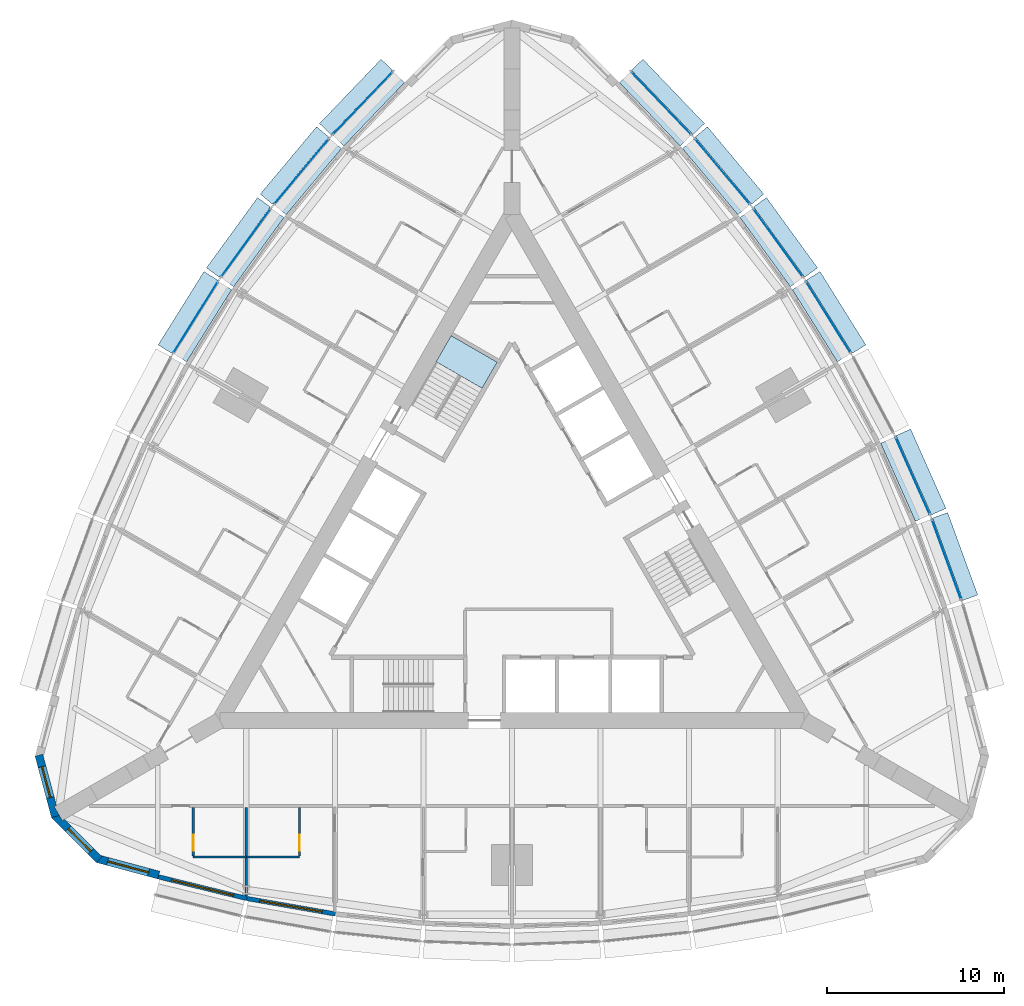
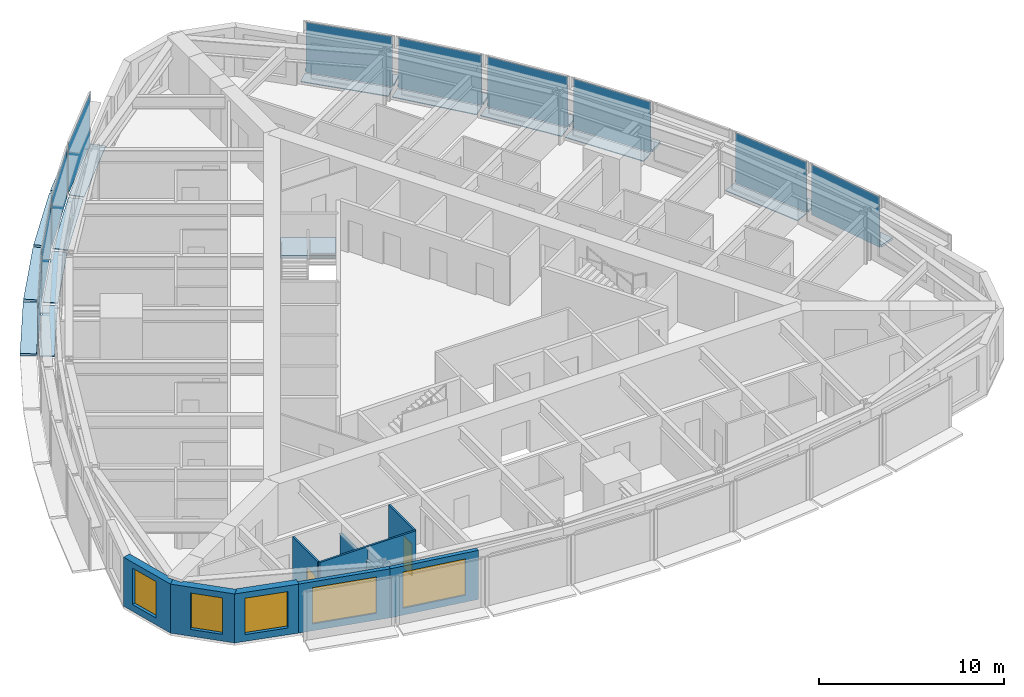
# One storey, part 7 of 14: 29 plates, 10 walls, 5 windows, 2 doors, 1 slab, 7 openings, 11 elements without a shape of their own.
"""IFC4 building model written with IfcOpenShell, lengths in metres."""

from ifc_helpers import new_model, si_unit, direction, frame, frame_2d, origin, origin_2d, place, context, subcontext, project, spatial, polyline, rectangle, outline, extrude, material, layer, layer_set, type_object, element, fill, aggregate, save


model = new_model("IFC4")

# Units and contexts
model_context = context("Model", 3, precision=1e-05, world=origin(), true_north=direction((0.0, 1.0)))
body_context = subcontext(model_context, "Body", "Model", "MODEL_VIEW")
ifc_project = project(units=[si_unit("LENGTHUNIT", "METRE"), si_unit("AREAUNIT", "SQUARE_METRE"), si_unit("VOLUMEUNIT", "CUBIC_METRE"), si_unit("PLANEANGLEUNIT", "RADIAN"), si_unit("MASSUNIT", "GRAM", prefix="KILO")], contexts=[model_context])

# Site, building, storey
site_placement = place(None, origin())
site = spatial("IfcSite", under=ifc_project, at=site_placement, CompositionType="ELEMENT")
building_placement = place(site_placement, origin())
building = spatial("IfcBuilding", under=site, at=building_placement, Name="Trikona Tower", CompositionType="ELEMENT")
storey_placement = place(building_placement, frame((0.0, 0.0, 141.89990234375)))
storey = spatial("IfcBuildingStorey", under=building, at=storey_placement, Name="L37", CompositionType="ELEMENT", Elevation=141.89990234375)

# Plates
ifc_material_1 = material(Name="Aluminium bar grating", Category="aluminium")
ifc_layer_1 = layer(ifc_material_1, 0.050048828125)
ifc_layer_set_1 = layer_set([ifc_layer_1], Name="Cavity catwalk grating")
plate_type_1 = type_object("IfcPlateType", Name="Cavity catwalk grating", PredefinedType="USERDEFINED", material=ifc_layer_set_1)
plate_1_placement = place(storey_placement, frame((22.175048828125, 4.092529296875, -0.0498046875), z_axis=(0.0, 0.0, 1.0), x_axis=(-0.406843467615, 0.913497888809, 0.0)))
element("IfcPlate", 1, at=plate_1_placement, inside=storey, type_object=plate_type_1, Name="Cavity catwalk L37-14", ObjectType="CATWALK GRATING", PredefinedType="USERDEFINED", context=body_context, shape_type="SweptSolid", body=[
    extrude(rectangle(XDim=4.827392578125, YDim=0.830078125, at=origin_2d()), origin(), (0.0, 0.0, 1.0), 0.050048828125),
])
plate_2_placement = place(storey_placement, frame((17.450927734375, 12.978759765625, -0.0498046875), z_axis=(0.0, 0.0, 1.0), x_axis=(-0.529994748414, 0.848000923734, 0.0)))
element("IfcPlate", 2, at=plate_2_placement, inside=storey, type_object=plate_type_1, Name="Cavity catwalk L37-16", ObjectType="CATWALK GRATING", PredefinedType="USERDEFINED", context=body_context, shape_type="SweptSolid", body=[
    extrude(rectangle(XDim=4.802978515625, YDim=0.830078125, at=origin_2d()), origin(), (0.0, 0.0, 1.0), 0.050048828125),
])
plate_3_placement = place(storey_placement, frame((14.6318359375, 17.157958984375, -0.0498046875), z_axis=(0.0, 0.0, 1.0), x_axis=(-0.587686407834, 0.809088799853, 0.0)))
element("IfcPlate", 3, at=plate_3_placement, inside=storey, type_object=plate_type_1, Name="Cavity catwalk L37-17", ObjectType="CATWALK GRATING", PredefinedType="USERDEFINED", context=body_context, shape_type="SweptSolid", body=[
    extrude(rectangle(XDim=4.827392578125, YDim=0.830078125, at=origin_2d()), origin(), (0.0, 0.0, 1.0), 0.050048828125),
])
plate_4_placement = place(storey_placement, frame((11.508056640625, 21.160400390625, -0.0498046875), z_axis=(0.0, 0.0, 1.0), x_axis=(-0.641807063101, 0.766866151133, 0.0)))
element("IfcPlate", 4, at=plate_4_placement, inside=storey, type_object=plate_type_1, Name="Cavity catwalk L37-18", ObjectType="CATWALK GRATING", PredefinedType="USERDEFINED", context=body_context, shape_type="SweptSolid", body=[
    extrude(rectangle(XDim=4.8759765625, YDim=0.830078125, at=origin_2d()), origin(), (0.0, 0.0, 1.0), 0.050048828125),
])
for number, where, z_axis, x_axis, name in (
    (5, (8.080078125, 24.986328125, -0.0498046875), (0.0, 0.0, 1.0), (-0.691723573819, 0.722162376078, 0.0), "Cavity catwalk L37-19"),
    (6, (-8.080078125, 24.986328125, -0.0498046875), (0.0, 0.0, 1.0), (-0.691723573819, -0.722162376078, 0.0), "Cavity catwalk L37-24"),
):
    element("IfcPlate", number, at=place(storey_placement, frame(where, z_axis=z_axis, x_axis=x_axis)), inside=storey, type_object=plate_type_1, Name=name, ObjectType="CATWALK GRATING", PredefinedType="USERDEFINED", context=body_context, shape_type="SweptSolid", body=[
        extrude(rectangle(XDim=4.947998046875, YDim=0.830078125, at=origin_2d()), origin(), (0.0, 0.0, 1.0), 0.050048828125),
    ])
plate_5_placement = place(storey_placement, frame((-11.508056640625, 21.160400390625, -0.0498046875), z_axis=(0.0, 0.0, 1.0), x_axis=(-0.641807063101, -0.766866151133, 0.0)))
element("IfcPlate", 7, at=plate_5_placement, inside=storey, type_object=plate_type_1, Name="Cavity catwalk L37-25", ObjectType="CATWALK GRATING", PredefinedType="USERDEFINED", context=body_context, shape_type="SweptSolid", body=[
    extrude(rectangle(XDim=4.8759765625, YDim=0.830078125, at=origin_2d()), origin(), (0.0, 0.0, 1.0), 0.050048828125),
])
plate_6_placement = place(storey_placement, frame((-14.6318359375, 17.157958984375, -0.0498046875), z_axis=(0.0, 0.0, 1.0), x_axis=(-0.587686407834, -0.809088799853, 0.0)))
element("IfcPlate", 8, at=plate_6_placement, inside=storey, type_object=plate_type_1, Name="Cavity catwalk L37-26", ObjectType="CATWALK GRATING", PredefinedType="USERDEFINED", context=body_context, shape_type="SweptSolid", body=[
    extrude(rectangle(XDim=4.827392578125, YDim=0.830078125, at=origin_2d()), origin(), (0.0, 0.0, 1.0), 0.050048828125),
])
plate_7_placement = place(storey_placement, frame((-17.450927734375, 12.978759765625, -0.0498046875), z_axis=(0.0, 0.0, 1.0), x_axis=(-0.529994748414, -0.848000923734, 0.0)))
element("IfcPlate", 9, at=plate_7_placement, inside=storey, type_object=plate_type_1, Name="Cavity catwalk L37-27", ObjectType="CATWALK GRATING", PredefinedType="USERDEFINED", context=body_context, shape_type="SweptSolid", body=[
    extrude(rectangle(XDim=4.802978515625, YDim=0.830078125, at=origin_2d()), origin(), (0.0, 0.0, 1.0), 0.050048828125),
])

# Curtain wall, plate
ifc_material_2 = material(Name="Aluminium curtain wall system", Category="aluminium")
curtain_wall_type = type_object("IfcCurtainWallType", Name="Curtain wall DS2", PredefinedType="NOTDEFINED", material=ifc_material_2)
curtain_wall_1_placement = place(storey_placement, origin())
curtain_wall_1 = element("IfcCurtainWall", 10, at=curtain_wall_1_placement, inside=storey, type_object=curtain_wall_type, Name="Curtain wall DS2 L37", PredefinedType="NOTDEFINED")
ifc_material_3 = material(Name="Laminated clear glass", Category="glass")
ifc_layer_2 = layer(ifc_material_3, 0.028076171875)
ifc_layer_set_2 = layer_set([ifc_layer_2], Name="Glass panel DS2")
plate_type_2 = type_object("IfcPlateType", Name="Glass panel DS2", PredefinedType="CURTAIN_PANEL", material=ifc_layer_set_2)
plate_8_placement = place(storey_placement, frame((24.53515625, -0.447509765625, 0.0), z_axis=(0.0, 0.0, 1.0), x_axis=(-0.343223420143, 0.939253790978, 0.0)))
plate_8 = element("IfcPlate", 11, at=plate_8_placement, type_object=plate_type_2, Name="CW-DS2 panel 1.1", PredefinedType="CURTAIN_PANEL", context=body_context, shape_type="SweptSolid", body=[
    extrude(rectangle(XDim=4.7958984375, YDim=0.028076171875, at=origin_2d()), origin(), (0.0, 0.0, 1.0), 3.320068359375),
])
aggregate(curtain_wall_1, [plate_8])

curtain_wall_2_placement = place(storey_placement, origin())
curtain_wall_2 = element("IfcCurtainWall", 12, at=curtain_wall_2_placement, inside=storey, type_object=curtain_wall_type, Name="Curtain wall DS2 L37", PredefinedType="NOTDEFINED")
plate_9_placement = place(storey_placement, frame((22.6181640625, 4.289794921875, 0.0), z_axis=(0.0, 0.0, 1.0), x_axis=(-0.406836013132, 0.913501208767, 0.0)))
plate_9 = element("IfcPlate", 13, at=plate_9_placement, type_object=plate_type_2, Name="CW-DS2 panel 1.1", PredefinedType="CURTAIN_PANEL", context=body_context, shape_type="SweptSolid", body=[
    extrude(rectangle(XDim=4.747314453125, YDim=0.028076171875, at=origin_2d()), origin(), (0.0, 0.0, 1.0), 3.320068359375),
])
aggregate(curtain_wall_2, [plate_9])

curtain_wall_3_placement = place(storey_placement, origin())
curtain_wall_3 = element("IfcCurtainWall", 14, at=curtain_wall_3_placement, inside=storey, type_object=curtain_wall_type, Name="Curtain wall DS2 L37", PredefinedType="NOTDEFINED")
plate_10_placement = place(storey_placement, frame((17.8623046875, 13.23583984375, 0.0), z_axis=(0.0, 0.0, 1.0), x_axis=(-0.529998940002, 0.847998304006, 0.0)))
plate_10 = element("IfcPlate", 15, at=plate_10_placement, type_object=plate_type_2, Name="CW-DS2 panel 1.1", PredefinedType="CURTAIN_PANEL", context=body_context, shape_type="SweptSolid", body=[
    extrude(rectangle(XDim=4.72314453125, YDim=0.028076171875, at=origin_2d()), origin(), (0.0, 0.0, 1.0), 3.320068359375),
])
aggregate(curtain_wall_3, [plate_10])

curtain_wall_4_placement = place(storey_placement, origin())
curtain_wall_4 = element("IfcCurtainWall", 16, at=curtain_wall_4_placement, inside=storey, type_object=curtain_wall_type, Name="Curtain wall DS2 L37", PredefinedType="NOTDEFINED")
plate_11_placement = place(storey_placement, frame((15.024169921875, 17.443115234375, 0.0), z_axis=(0.0, 0.0, 1.0), x_axis=(-0.587690588313, 0.80908576332, 0.0)))
plate_11 = element("IfcPlate", 17, at=plate_11_placement, type_object=plate_type_2, Name="CW-DS2 panel 1.1", PredefinedType="CURTAIN_PANEL", context=body_context, shape_type="SweptSolid", body=[
    extrude(rectangle(XDim=4.74755859375, YDim=0.028076171875, at=origin_2d()), origin(), (0.0, 0.0, 1.0), 3.320068359375),
])
aggregate(curtain_wall_4, [plate_11])

curtain_wall_5_placement = place(storey_placement, origin())
curtain_wall_5 = element("IfcCurtainWall", 18, at=curtain_wall_5_placement, inside=storey, type_object=curtain_wall_type, Name="Curtain wall DS2 L37", PredefinedType="NOTDEFINED")
plate_12_placement = place(storey_placement, frame((11.8798828125, 21.4716796875, 0.0), z_axis=(0.0, 0.0, 1.0), x_axis=(-0.641806433248, 0.766866678271, 0.0)))
plate_12 = element("IfcPlate", 19, at=plate_12_placement, type_object=plate_type_2, Name="CW-DS2 panel 1.1", PredefinedType="CURTAIN_PANEL", context=body_context, shape_type="SweptSolid", body=[
    extrude(rectangle(XDim=4.7958984375, YDim=0.028076171875, at=origin_2d()), origin(), (0.0, 0.0, 1.0), 3.320068359375),
])
aggregate(curtain_wall_5, [plate_12])

curtain_wall_6_placement = place(storey_placement, origin())
curtain_wall_6 = element("IfcCurtainWall", 20, at=curtain_wall_6_placement, inside=storey, type_object=curtain_wall_type, Name="Curtain wall DS2 L37", PredefinedType="NOTDEFINED")
plate_13_placement = place(storey_placement, frame((8.430419921875, 25.32177734375, 0.0), z_axis=(0.0, 0.0, 1.0), x_axis=(-0.691727797117, 0.722158330767, 0.0)))
plate_13 = element("IfcPlate", 21, at=plate_13_placement, type_object=plate_type_2, Name="CW-DS2 panel 1.1", PredefinedType="CURTAIN_PANEL", context=body_context, shape_type="SweptSolid", body=[
    extrude(rectangle(XDim=4.867919921875, YDim=0.028076171875, at=origin_2d()), origin(), (0.0, 0.0, 1.0), 3.320068359375),
])
aggregate(curtain_wall_6, [plate_13])

curtain_wall_7_placement = place(storey_placement, origin())
curtain_wall_7 = element("IfcCurtainWall", 22, at=curtain_wall_7_placement, inside=storey, type_object=curtain_wall_type, Name="Curtain wall DS2 L37", PredefinedType="NOTDEFINED")
plate_14_placement = place(storey_placement, frame((-8.430419921875, 25.32177734375, 0.0), z_axis=(0.0, 0.0, 1.0), x_axis=(-0.691727797117, -0.722158330767, 0.0)))
plate_14 = element("IfcPlate", 23, at=plate_14_placement, type_object=plate_type_2, Name="CW-DS2 panel 1.1", PredefinedType="CURTAIN_PANEL", context=body_context, shape_type="SweptSolid", body=[
    extrude(rectangle(XDim=4.867919921875, YDim=0.028076171875, at=origin_2d()), origin(), (0.0, 0.0, 1.0), 3.320068359375),
])
aggregate(curtain_wall_7, [plate_14])

curtain_wall_8_placement = place(storey_placement, origin())
curtain_wall_8 = element("IfcCurtainWall", 24, at=curtain_wall_8_placement, inside=storey, type_object=curtain_wall_type, Name="Curtain wall DS2 L37", PredefinedType="NOTDEFINED")
plate_15_placement = place(storey_placement, frame((-11.8798828125, 21.4716796875, 0.0), z_axis=(0.0, 0.0, 1.0), x_axis=(-0.641806433248, -0.766866678271, 0.0)))
plate_15 = element("IfcPlate", 25, at=plate_15_placement, type_object=plate_type_2, Name="CW-DS2 panel 1.1", PredefinedType="CURTAIN_PANEL", context=body_context, shape_type="SweptSolid", body=[
    extrude(rectangle(XDim=4.7958984375, YDim=0.028076171875, at=origin_2d()), origin(), (0.0, 0.0, 1.0), 3.320068359375),
])
aggregate(curtain_wall_8, [plate_15])

curtain_wall_9_placement = place(storey_placement, origin())
curtain_wall_9 = element("IfcCurtainWall", 26, at=curtain_wall_9_placement, inside=storey, type_object=curtain_wall_type, Name="Curtain wall DS2 L37", PredefinedType="NOTDEFINED")
plate_16_placement = place(storey_placement, frame((-15.024169921875, 17.443115234375, 0.0), z_axis=(0.0, 0.0, 1.0), x_axis=(-0.587690588313, -0.80908576332, 0.0)))
plate_16 = element("IfcPlate", 27, at=plate_16_placement, type_object=plate_type_2, Name="CW-DS2 panel 1.1", PredefinedType="CURTAIN_PANEL", context=body_context, shape_type="SweptSolid", body=[
    extrude(rectangle(XDim=4.74755859375, YDim=0.028076171875, at=origin_2d()), origin(), (0.0, 0.0, 1.0), 3.320068359375),
])
aggregate(curtain_wall_9, [plate_16])

curtain_wall_10_placement = place(storey_placement, origin())
curtain_wall_10 = element("IfcCurtainWall", 28, at=curtain_wall_10_placement, inside=storey, type_object=curtain_wall_type, Name="Curtain wall DS2 L37", PredefinedType="NOTDEFINED")
plate_17_placement = place(storey_placement, frame((-17.8623046875, 13.23583984375, 0.0), z_axis=(0.0, 0.0, 1.0), x_axis=(-0.529998940002, -0.847998304006, 0.0)))
plate_17 = element("IfcPlate", 29, at=plate_17_placement, type_object=plate_type_2, Name="CW-DS2 panel 1.1", PredefinedType="CURTAIN_PANEL", context=body_context, shape_type="SweptSolid", body=[
    extrude(rectangle(XDim=4.72314453125, YDim=0.028076171875, at=origin_2d()), origin(), (0.0, 0.0, 1.0), 3.320068359375),
])
aggregate(curtain_wall_10, [plate_17])

# Plates
ifc_material_4 = material(Name="Aluminium plate fin, pale anodised, on stainless steel outriggers", Category="steel")
ifc_layer_3 = layer(ifc_material_4, 0.14990234375)
ifc_layer_set_3 = layer_set([ifc_layer_3], Name="Outer skin fin 900")
plate_type_3 = type_object("IfcPlateType", Name="Outer skin fin 900", PredefinedType="USERDEFINED", material=ifc_layer_set_3)
plate_18_placement = place(storey_placement, frame((25.0234375, -0.26904296875, 0.000244140625), z_axis=(0.0, 0.0, 1.0), x_axis=(-0.343220397324, 0.939254895575, 0.0)))
element("IfcPlate", 30, at=plate_18_placement, inside=storey, type_object=plate_type_3, Name="Outer skin fin L37-13", ObjectType="FIN", PredefinedType="USERDEFINED", context=body_context, shape_type="SweptSolid", body=[
    extrude(rectangle(XDim=4.9560546875, YDim=0.89990234375, at=origin_2d()), origin(), (0.0, 0.0, 1.0), 0.14990234375),
])
plate_19_placement = place(storey_placement, frame((23.09326171875, 4.50146484375, 0.000244140625), z_axis=(0.0, 0.0, 1.0), x_axis=(-0.406843467615, 0.913497888809, 0.0)))
element("IfcPlate", 31, at=plate_19_placement, inside=storey, type_object=plate_type_3, Name="Outer skin fin L37-14", ObjectType="FIN", PredefinedType="USERDEFINED", context=body_context, shape_type="SweptSolid", body=[
    extrude(rectangle(XDim=4.907470703125, YDim=0.89990234375, at=origin_2d()), origin(), (0.0, 0.0, 1.0), 0.14990234375),
])
plate_20_placement = place(storey_placement, frame((18.30322265625, 13.511474609375, 0.000244140625), z_axis=(0.0, 0.0, 1.0), x_axis=(-0.529994748414, 0.848000923734, 0.0)))
element("IfcPlate", 32, at=plate_20_placement, inside=storey, type_object=plate_type_3, Name="Outer skin fin L37-16", ObjectType="FIN", PredefinedType="USERDEFINED", context=body_context, shape_type="SweptSolid", body=[
    extrude(rectangle(XDim=4.883056640625, YDim=0.89990234375, at=origin_2d()), origin(), (0.0, 0.0, 1.0), 0.14990234375),
])
plate_21_placement = place(storey_placement, frame((15.44482421875, 17.74853515625, 0.000244140625), z_axis=(0.0, 0.0, 1.0), x_axis=(-0.587686407834, 0.809088799853, 0.0)))
element("IfcPlate", 33, at=plate_21_placement, inside=storey, type_object=plate_type_3, Name="Outer skin fin L37-17", ObjectType="FIN", PredefinedType="USERDEFINED", context=body_context, shape_type="SweptSolid", body=[
    extrude(rectangle(XDim=4.907470703125, YDim=0.89990234375, at=origin_2d()), origin(), (0.0, 0.0, 1.0), 0.14990234375),
])
plate_22_placement = place(storey_placement, frame((12.27880859375, 21.8056640625, 0.000244140625), z_axis=(0.0, 0.0, 1.0), x_axis=(-0.641807063101, 0.766866151133, 0.0)))
element("IfcPlate", 34, at=plate_22_placement, inside=storey, type_object=plate_type_3, Name="Outer skin fin L37-18", ObjectType="FIN", PredefinedType="USERDEFINED", context=body_context, shape_type="SweptSolid", body=[
    extrude(rectangle(XDim=4.9560546875, YDim=0.89990234375, at=origin_2d()), origin(), (0.0, 0.0, 1.0), 0.14990234375),
])
for number, where, z_axis, x_axis, name in (
    (35, (8.805908203125, 25.681396484375, 0.000244140625), (0.0, 0.0, 1.0), (-0.691723573819, 0.722162376078, 0.0), "Outer skin fin L37-19"),
    (36, (-8.805908203125, 25.681396484375, 0.000244140625), (0.0, 0.0, 1.0), (-0.691723573819, -0.722162376078, 0.0), "Outer skin fin L37-24"),
):
    element("IfcPlate", number, at=place(storey_placement, frame(where, z_axis=z_axis, x_axis=x_axis)), inside=storey, type_object=plate_type_3, Name=name, ObjectType="FIN", PredefinedType="USERDEFINED", context=body_context, shape_type="SweptSolid", body=[
        extrude(rectangle(XDim=5.02783203125, YDim=0.89990234375, at=origin_2d()), origin(), (0.0, 0.0, 1.0), 0.14990234375),
    ])
plate_23_placement = place(storey_placement, frame((-12.27880859375, 21.8056640625, 0.000244140625), z_axis=(0.0, 0.0, 1.0), x_axis=(-0.641807063101, -0.766866151133, 0.0)))
element("IfcPlate", 37, at=plate_23_placement, inside=storey, type_object=plate_type_3, Name="Outer skin fin L37-25", ObjectType="FIN", PredefinedType="USERDEFINED", context=body_context, shape_type="SweptSolid", body=[
    extrude(rectangle(XDim=4.9560546875, YDim=0.89990234375, at=origin_2d()), origin(), (0.0, 0.0, 1.0), 0.14990234375),
])
plate_24_placement = place(storey_placement, frame((-15.44482421875, 17.74853515625, 0.000244140625), z_axis=(0.0, 0.0, 1.0), x_axis=(-0.587686407834, -0.809088799853, 0.0)))
element("IfcPlate", 38, at=plate_24_placement, inside=storey, type_object=plate_type_3, Name="Outer skin fin L37-26", ObjectType="FIN", PredefinedType="USERDEFINED", context=body_context, shape_type="SweptSolid", body=[
    extrude(rectangle(XDim=4.907470703125, YDim=0.89990234375, at=origin_2d()), origin(), (0.0, 0.0, 1.0), 0.14990234375),
])
plate_25_placement = place(storey_placement, frame((-18.30322265625, 13.511474609375, 0.000244140625), z_axis=(0.0, 0.0, 1.0), x_axis=(-0.529994748414, -0.848000923734, 0.0)))
element("IfcPlate", 39, at=plate_25_placement, inside=storey, type_object=plate_type_3, Name="Outer skin fin L37-27", ObjectType="FIN", PredefinedType="USERDEFINED", context=body_context, shape_type="SweptSolid", body=[
    extrude(rectangle(XDim=4.883056640625, YDim=0.89990234375, at=origin_2d()), origin(), (0.0, 0.0, 1.0), 0.14990234375),
])

# Stair, slab
ifc_material_5 = material(Name="Concrete f'c 5000 psi", Category="concrete")
stair_type = type_object("IfcStairType", Name="Core stair", PredefinedType="HALF_TURN_STAIR", material=ifc_material_5)
stair_placement = place(storey_placement, origin())
stair = element("IfcStair", 40, at=stair_placement, inside=storey, type_object=stair_type, Name="Stair C L37", PredefinedType="HALF_TURN_STAIR")
ifc_material_6 = material(Name="Concrete f'c 5000 psi", Category="concrete")
ifc_layer_4 = layer(ifc_material_6, 0.199951171875)
ifc_layer_set_4 = layer_set([ifc_layer_4], Name="Stair landing 200")
slab_type = type_object("IfcSlabType", Name="Stair landing 200", PredefinedType="LANDING", material=ifc_layer_set_4)
slab_placement = place(storey_placement, frame((0.0, 0.0, 1.5)))
slab = element("IfcSlab", 41, at=slab_placement, type_object=slab_type, Name="ST-C landing 2", PredefinedType="LANDING", context=body_context, shape_type="SweptSolid", body=[
    extrude(outline(polyline([(-0.837158203125, 10.702392578125), (-1.688720703125, 9.2275390625), (-4.286865234375, 10.7275390625), (-3.435302734375, 12.202392578125), (-0.837158203125, 10.702392578125)])), origin(), (0.0, 0.0, 1.0), 0.2001953125),
])
aggregate(stair, [slab])

# Wall
ifc_material_7 = material(Name="Metal stud and cement board", Category="gypsum")
ifc_layer_5 = layer(ifc_material_7, 0.1201171875)
ifc_layer_set_5 = layer_set([ifc_layer_5], Name="Bathroom wall 120")
wall_type_1 = type_object("IfcWallType", Name="Bathroom wall 120", PredefinedType="PLUMBINGWALL", material=ifc_layer_set_5)
wall_1_placement = place(storey_placement, frame((-18.0, -17.226318359375, 0.0), z_axis=(0.0, 0.0, 1.0), x_axis=(1.0, 0.0, 0.0)))
element("IfcWall", 42, at=wall_1_placement, inside=storey, type_object=wall_type_1, Name="Bathroom wall 3701", PredefinedType="PLUMBINGWALL", context=body_context, shape_type="SweptSolid", body=[
    extrude(rectangle(XDim=3.0, YDim=0.1201171875, at=frame_2d((1.5, 0.0))), origin(), (0.0, 0.0, 1.0), 3.235107421875),
])

# Wall, opening, door
wall_2_placement = place(storey_placement, frame((-18.0, -14.42626953125, 0.0), z_axis=(0.0, 0.0, 1.0), x_axis=(0.0, -1.0, 0.0)))
wall_2 = element("IfcWall", 43, at=wall_2_placement, inside=storey, type_object=wall_type_1, Name="Bathroom wall 3701", PredefinedType="PLUMBINGWALL", context=body_context, shape_type="SweptSolid", body=[
    extrude(rectangle(XDim=2.739990234375, YDim=0.1201171875, at=frame_2d((1.3701171875, 0.0))), origin(), (0.0, 0.0, 1.0), 3.235107421875),
])
opening_1_placement = place(wall_2_placement, frame((1.550048828125, 0.0, 0.0)))
opening_1 = element("IfcOpeningElement", 44, at=opening_1_placement, cuts=wall_2, Name="Opening D2", PredefinedType="OPENING", context=body_context, shape_type="SweptSolid", body=[
    extrude(rectangle(XDim=0.89990234375, YDim=2.1298828125, at=frame_2d((0.449951171875, 1.06494140625))), frame((0.0, 0.070068359375, 0.0), z_axis=(0.0, -1.0, 0.0), x_axis=(1.0, 0.0, 0.0)), (0.0, 0.0, 1.0), 0.14013671875),
])
ifc_material_8 = material(Name="Steel door frame with solid-core timber leaf", Category="steel")
door_type = type_object("IfcDoorType", Name="Bathroom door 900x2130", OperationType="SLIDING_TO_LEFT", PredefinedType="DOOR", material=ifc_material_8)
door_1_placement = place(opening_1_placement, origin())
door_1 = element("IfcDoor", 45, at=door_1_placement, inside=storey, type_object=door_type, Name="Bathroom door 3701", OperationType="SLIDING_TO_LEFT", OverallHeight=2.1298828125, OverallWidth=0.89990234375, PredefinedType="DOOR", context=body_context, shape_type="SweptSolid", body=[
    extrude(rectangle(XDim=0.89990234375, YDim=2.1298828125, at=frame_2d((0.449951171875, 1.06494140625))), frame((0.0, 0.02490234375, 0.0), z_axis=(0.0, -1.0, 0.0), x_axis=(1.0, 0.0, 0.0)), (0.0, 0.0, 1.0), 0.050048828125),
])
fill(opening_1, door_1)

# Wall
wall_3_placement = place(storey_placement, frame((-15.0, -17.226318359375, 0.0), z_axis=(0.0, 0.0, 1.0), x_axis=(1.0, 0.0, 0.0)))
element("IfcWall", 46, at=wall_3_placement, inside=storey, type_object=wall_type_1, Name="Bathroom wall 3702.1", PredefinedType="PLUMBINGWALL", context=body_context, shape_type="SweptSolid", body=[
    extrude(rectangle(XDim=3.0, YDim=0.1201171875, at=frame_2d((1.5, 0.0))), origin(), (0.0, 0.0, 1.0), 3.235107421875),
])

# Wall, opening, door
wall_4_placement = place(storey_placement, frame((-12.0, -14.42626953125, 0.0), z_axis=(0.0, 0.0, 1.0), x_axis=(0.0, -1.0, 0.0)))
wall_4 = element("IfcWall", 47, at=wall_4_placement, inside=storey, type_object=wall_type_1, Name="Bathroom wall 3702.1", PredefinedType="PLUMBINGWALL", context=body_context, shape_type="SweptSolid", body=[
    extrude(rectangle(XDim=2.739990234375, YDim=0.1201171875, at=frame_2d((1.3701171875, 0.0))), origin(), (0.0, 0.0, 1.0), 3.235107421875),
])
opening_2_placement = place(wall_4_placement, frame((1.550048828125, 0.0, 0.0)))
opening_2 = element("IfcOpeningElement", 48, at=opening_2_placement, cuts=wall_4, Name="Opening D2", PredefinedType="OPENING", context=body_context, shape_type="SweptSolid", body=[
    extrude(rectangle(XDim=0.89990234375, YDim=2.1298828125, at=frame_2d((0.449951171875, 1.06494140625))), frame((0.0, 0.070068359375, 0.0), z_axis=(0.0, -1.0, 0.0), x_axis=(1.0, 0.0, 0.0)), (0.0, 0.0, 1.0), 0.14013671875),
])
door_2_placement = place(opening_2_placement, origin())
door_2 = element("IfcDoor", 49, at=door_2_placement, inside=storey, type_object=door_type, Name="Bathroom door 3702.1", OperationType="SLIDING_TO_LEFT", OverallHeight=2.1298828125, OverallWidth=0.89990234375, PredefinedType="DOOR", context=body_context, shape_type="SweptSolid", body=[
    extrude(rectangle(XDim=0.89990234375, YDim=2.1298828125, at=frame_2d((0.449951171875, 1.06494140625))), frame((0.0, 0.02490234375, 0.0), z_axis=(0.0, -1.0, 0.0), x_axis=(1.0, 0.0, 0.0)), (0.0, 0.0, 1.0), 0.050048828125),
])
fill(opening_2, door_2)

# Wall, opening, window
ifc_material_9 = material(Name="Brick-faced precast concrete", Category="masonry")
ifc_layer_6 = layer(ifc_material_9, 0.449951171875)
ifc_layer_set_6 = layer_set([ifc_layer_6], Name="Brick-faced corner wall 450")
wall_type_2 = type_object("IfcWallType", Name="Brick-faced corner wall 450", PredefinedType="SOLIDWALL", material=ifc_layer_set_6)
wall_5_placement = place(storey_placement, frame((-26.7109375, -11.48876953125, 0.0), z_axis=(0.0, 0.0, 1.0), x_axis=(0.258823421857, -0.965924653531, 0.0)))
wall_5 = element("IfcWall", 50, at=wall_5_placement, inside=storey, type_object=wall_type_2, Name="External wall L37-33", PredefinedType="SOLIDWALL", context=body_context, shape_type="SweptSolid", body=[
    extrude(outline(polyline([(3.58642578125, 0.22509765625), (3.52685546875, 0.22509765625), (3.03515625, 0.09326171875), (3.0, 0.22509765625), (0.0, 0.22509765625), (0.0, -0.22509765625), (3.58642578125, -0.22509765625), (3.58642578125, 0.22509765625)])), origin(), (0.0, 0.0, 1.0), 3.235107421875),
])
opening_3_placement = place(wall_5_placement, frame((0.6748046875, 0.0, 0.449951171875)))
opening_3 = element("IfcOpeningElement", 51, at=opening_3_placement, cuts=wall_5, Name="Opening W1824", PredefinedType="OPENING", context=body_context, shape_type="SweptSolid", body=[
    extrude(rectangle(XDim=1.800048828125, YDim=2.39990234375, at=frame_2d((0.89990234375, 1.199951171875))), frame((0.0, 0.23486328125, 0.0), z_axis=(0.0, -1.0, 0.0), x_axis=(1.0, 0.0, 0.0)), (0.0, 0.0, 1.0), 0.469970703125),
])
ifc_material_10 = material(Name="Aluminium-framed double glazing", Category="aluminium")
window_type_1 = type_object("IfcWindowType", Name="Window 1800x2400", PartitioningType="SINGLE_PANEL", PredefinedType="WINDOW", material=ifc_material_10)
window_1_placement = place(opening_3_placement, origin())
window_1 = element("IfcWindow", 52, at=window_1_placement, inside=storey, type_object=window_type_1, Name="Window 3716", OverallHeight=2.39990234375, OverallWidth=1.800048828125, PartitioningType="SINGLE_PANEL", PredefinedType="WINDOW", context=body_context, shape_type="SweptSolid", body=[
    extrude(rectangle(XDim=1.800048828125, YDim=2.39990234375, at=frame_2d((0.89990234375, 1.199951171875))), frame((0.0, 0.030029296875, 0.0), z_axis=(0.0, -1.0, 0.0), x_axis=(1.0, 0.0, 0.0)), (0.0, 0.0, 1.0), 0.06005859375),
])
fill(opening_3, window_1)

wall_6_placement = place(storey_placement, frame((-25.8408203125, -14.85205078125, 0.0), z_axis=(0.0, 0.0, 1.0), x_axis=(0.707106781187, -0.707106781187, 0.0)))
wall_6 = element("IfcWall", 53, at=wall_6_placement, inside=storey, type_object=wall_type_2, Name="External wall L37-34", PredefinedType="SOLIDWALL", context=body_context, shape_type="SweptSolid", body=[
    extrude(outline(polyline([(3.586181640625, 0.22509765625), (0.58642578125, 0.22509765625), (0.551025390625, 0.09326171875), (0.05908203125, 0.22509765625), (0.0, 0.22509765625), (0.0, -0.22509765625), (3.586181640625, -0.22509765625), (3.586181640625, 0.22509765625)])), origin(), (0.0, 0.0, 1.0), 3.235107421875),
])
opening_4_placement = place(wall_6_placement, frame((1.111328125, 0.0, 0.449951171875)))
opening_4 = element("IfcOpeningElement", 54, at=opening_4_placement, cuts=wall_6, Name="Opening W1824", PredefinedType="OPENING", context=body_context, shape_type="SweptSolid", body=[
    extrude(rectangle(XDim=1.800048828125, YDim=2.39990234375, at=frame_2d((0.89990234375, 1.199951171875))), frame((0.0, 0.23486328125, 0.0), z_axis=(0.0, -1.0, 0.0), x_axis=(1.0, 0.0, 0.0)), (0.0, 0.0, 1.0), 0.469970703125),
])
window_2_placement = place(opening_4_placement, origin())
window_2 = element("IfcWindow", 55, at=window_2_placement, inside=storey, type_object=window_type_1, Name="Window 3701", OverallHeight=2.39990234375, OverallWidth=1.800048828125, PartitioningType="SINGLE_PANEL", PredefinedType="WINDOW", context=body_context, shape_type="SweptSolid", body=[
    extrude(rectangle(XDim=1.800048828125, YDim=2.39990234375, at=frame_2d((0.89990234375, 1.199951171875))), frame((0.0, 0.030029296875, 0.0), z_axis=(0.0, -1.0, 0.0), x_axis=(1.0, 0.0, 0.0)), (0.0, 0.0, 1.0), 0.06005859375),
])
fill(opening_4, window_2)

wall_7_placement = place(storey_placement, frame((-23.406005859375, -17.32958984375, 0.0), z_axis=(0.0, 0.0, 1.0), x_axis=(0.965924653531, -0.258823421857, 0.0)))
wall_7 = element("IfcWall", 56, at=wall_7_placement, inside=storey, type_object=wall_type_2, Name="External wall L37-35", PredefinedType="SOLIDWALL", context=body_context, shape_type="SweptSolid", body=[
    extrude(rectangle(XDim=3.58642578125, YDim=0.449951171875, at=frame_2d((1.793212890625, 0.0))), origin(), (0.0, 0.0, 1.0), 3.235107421875),
])
opening_5_placement = place(wall_7_placement, frame((0.593017578125, 0.0, 0.449951171875)))
opening_5 = element("IfcOpeningElement", 57, at=opening_5_placement, cuts=wall_7, Name="Opening W2424", PredefinedType="OPENING", context=body_context, shape_type="SweptSolid", body=[
    extrude(rectangle(XDim=2.39990234375, YDim=2.39990234375, at=frame_2d((1.199951171875, 1.199951171875))), frame((0.0, 0.23486328125, 0.0), z_axis=(0.0, -1.0, 0.0), x_axis=(1.0, 0.0, 0.0)), (0.0, 0.0, 1.0), 0.469970703125),
])
ifc_material_11 = material(Name="Aluminium-framed double glazing", Category="aluminium")
window_type_2 = type_object("IfcWindowType", Name="Window 2400x2400", PartitioningType="SINGLE_PANEL", PredefinedType="WINDOW", material=ifc_material_11)
window_3_placement = place(opening_5_placement, origin())
window_3 = element("IfcWindow", 58, at=window_3_placement, inside=storey, type_object=window_type_2, Name="Window 3701", OverallHeight=2.39990234375, OverallWidth=2.39990234375, PartitioningType="SINGLE_PANEL", PredefinedType="WINDOW", context=body_context, shape_type="SweptSolid", body=[
    extrude(rectangle(XDim=2.39990234375, YDim=2.39990234375, at=frame_2d((1.199951171875, 1.199951171875))), frame((0.0, 0.030029296875, 0.0), z_axis=(0.0, -1.0, 0.0), x_axis=(1.0, 0.0, 0.0)), (0.0, 0.0, 1.0), 0.06005859375),
])
fill(opening_5, window_3)

ifc_material_12 = material(Name="Insulated precast concrete spandrel panel", Category="concrete")
ifc_layer_7 = layer(ifc_material_12, 0.25)
ifc_layer_set_7 = layer_set([ifc_layer_7], Name="Inner skin wall 250")
wall_type_3 = type_object("IfcWallType", Name="Inner skin wall 250", PredefinedType="STANDARD", material=ifc_layer_set_7)
wall_8_placement = place(storey_placement, frame((-19.97021484375, -18.353759765625, 0.0), z_axis=(0.0, 0.0, 1.0), x_axis=(0.971270024053, -0.237980126011, 0.0)))
wall_8 = element("IfcWall", 59, at=wall_8_placement, inside=storey, type_object=wall_type_3, Name="External wall L37-00", PredefinedType="STANDARD", context=body_context, shape_type="SweptSolid", body=[
    extrude(rectangle(XDim=5.14794921875, YDim=0.25, at=frame_2d((2.573974609375, 0.0))), origin(), (0.0, 0.0, 1.0), 3.235107421875),
])
opening_6_placement = place(wall_8_placement, frame((0.77392578125, 0.0, 0.449951171875)))
opening_6 = element("IfcOpeningElement", 60, at=opening_6_placement, cuts=wall_8, Name="Opening W3624", PredefinedType="OPENING", context=body_context, shape_type="SweptSolid", body=[
    extrude(rectangle(XDim=3.60009765625, YDim=2.39990234375, at=frame_2d((1.800048828125, 1.199951171875))), frame((0.0, 0.135009765625, 0.0), z_axis=(0.0, -1.0, 0.0), x_axis=(1.0, 0.0, 0.0)), (0.0, 0.0, 1.0), 0.27001953125),
])
ifc_material_13 = material(Name="Aluminium-framed double glazing", Category="aluminium")
window_type_3 = type_object("IfcWindowType", Name="Window 3600x2400", PartitioningType="SINGLE_PANEL", PredefinedType="WINDOW", material=ifc_material_13)
window_4_placement = place(opening_6_placement, origin())
window_4 = element("IfcWindow", 61, at=window_4_placement, inside=storey, type_object=window_type_3, Name="Window 3701", OverallHeight=2.39990234375, OverallWidth=3.60009765625, PartitioningType="SINGLE_PANEL", PredefinedType="WINDOW", context=body_context, shape_type="SweptSolid", body=[
    extrude(rectangle(XDim=3.60009765625, YDim=2.39990234375, at=frame_2d((1.800048828125, 1.199951171875))), frame((0.0, 0.030029296875, 0.0), z_axis=(0.0, -1.0, 0.0), x_axis=(1.0, 0.0, 0.0)), (0.0, 0.0, 1.0), 0.06005859375),
])
fill(opening_6, window_4)

wall_9_placement = place(storey_placement, frame((-14.978515625, -19.5771484375, 0.0), z_axis=(0.0, 0.0, 1.0), x_axis=(0.985030467156, -0.172380331752, 0.0)))
wall_9 = element("IfcWall", 62, at=wall_9_placement, inside=storey, type_object=wall_type_3, Name="External wall L37-01", PredefinedType="STANDARD", context=body_context, shape_type="SweptSolid", body=[
    extrude(rectangle(XDim=5.075927734375, YDim=0.25, at=frame_2d((2.5380859375, 0.0))), origin(), (0.0, 0.0, 1.0), 3.235107421875),
])
opening_7_placement = place(wall_9_placement, frame((0.738037109375, 0.0, 0.449951171875)))
opening_7 = element("IfcOpeningElement", 63, at=opening_7_placement, cuts=wall_9, Name="Opening W3624", PredefinedType="OPENING", context=body_context, shape_type="SweptSolid", body=[
    extrude(rectangle(XDim=3.60009765625, YDim=2.39990234375, at=frame_2d((1.800048828125, 1.199951171875))), frame((0.0, 0.135009765625, 0.0), z_axis=(0.0, -1.0, 0.0), x_axis=(1.0, 0.0, 0.0)), (0.0, 0.0, 1.0), 0.27001953125),
])
window_5_placement = place(opening_7_placement, origin())
window_5 = element("IfcWindow", 64, at=window_5_placement, inside=storey, type_object=window_type_3, Name="Window 3702.1", OverallHeight=2.39990234375, OverallWidth=3.60009765625, PartitioningType="SINGLE_PANEL", PredefinedType="WINDOW", context=body_context, shape_type="SweptSolid", body=[
    extrude(rectangle(XDim=3.60009765625, YDim=2.39990234375, at=frame_2d((1.800048828125, 1.199951171875))), frame((0.0, 0.030029296875, 0.0), z_axis=(0.0, -1.0, 0.0), x_axis=(1.0, 0.0, 0.0)), (0.0, 0.0, 1.0), 0.06005859375),
])
fill(opening_7, window_5)

# Wall
ifc_material_14 = material(Name="Metal stud and gypsum board, 1-hour acoustic", Category="gypsum")
ifc_layer_8 = layer(ifc_material_14, 0.14990234375)
ifc_layer_set_8 = layer_set([ifc_layer_8], Name="Party wall 150")
wall_type_4 = type_object("IfcWallType", Name="Party wall 150", PredefinedType="PARTITIONING", material=ifc_layer_set_8)
wall_10_placement = place(storey_placement, frame((-15.0, -14.42626953125, 0.0), z_axis=(0.0, 0.0, 1.0), x_axis=(0.0, -1.0, 0.0)))
element("IfcWall", 65, at=wall_10_placement, inside=storey, type_object=wall_type_4, Name="Partition L37 F1 u-15", PredefinedType="PARTITIONING", context=body_context, shape_type="SweptSolid", body=[
    extrude(rectangle(XDim=5.0166015625, YDim=0.14990234375, at=frame_2d((2.50830078125, 0.0))), origin(), (0.0, 0.0, 1.0), 2.389404296875),
])

save(model, "model.ifc")
